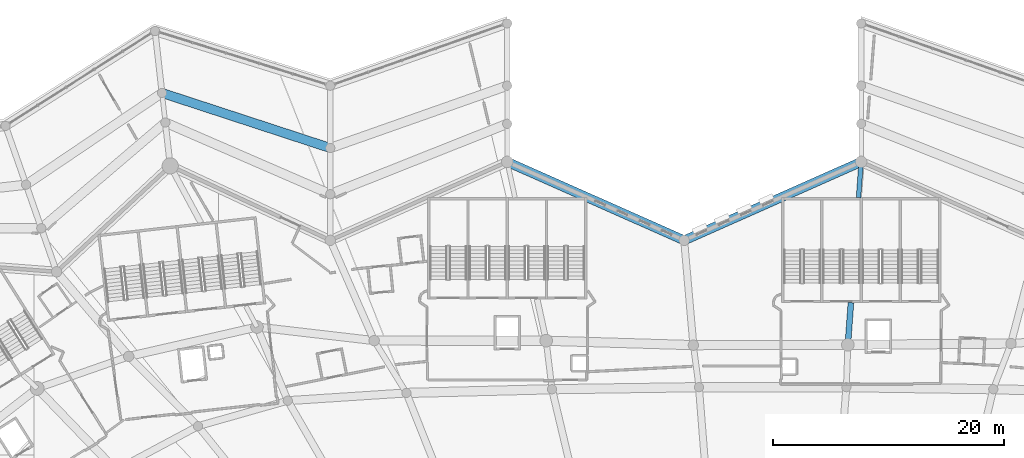
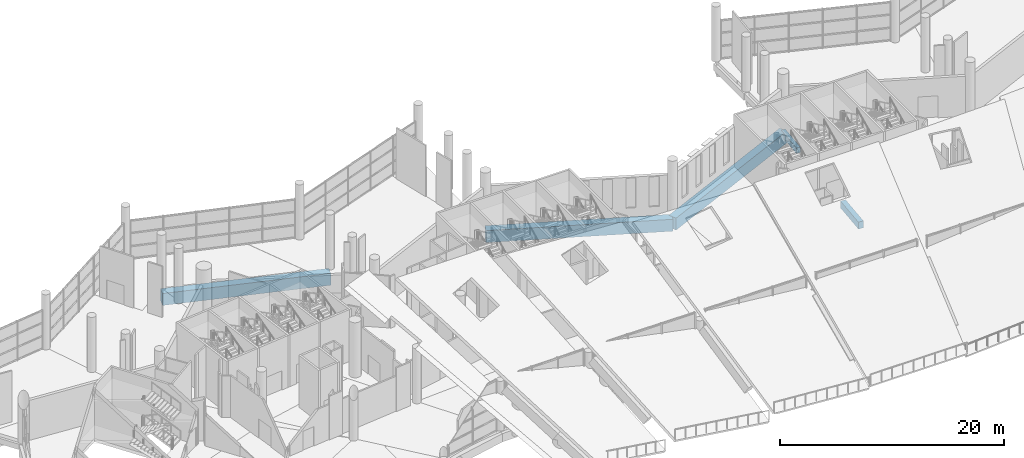
# One storey, part 72 of 249: 5 beams.
"""IFC4 building model written with IfcOpenShell, lengths in metres."""

from ifc_helpers import new_model, si_unit, direction, frame, origin, origin_2d, place, context, subcontext, project, spatial, rectangle, extrude, material, material_profile, profile_set, type_object, element, save


model = new_model("IFC4")

# Units and contexts
model_context = context("Model", 3, precision=1e-05, world=origin(), true_north=direction((0.0, 1.0)))
body_context = subcontext(model_context, "Body", "Model", "MODEL_VIEW")
ifc_project = project(units=[si_unit("LENGTHUNIT", "METRE"), si_unit("AREAUNIT", "SQUARE_METRE"), si_unit("VOLUMEUNIT", "CUBIC_METRE"), si_unit("PLANEANGLEUNIT", "RADIAN"), si_unit("MASSUNIT", "GRAM", prefix="KILO")], contexts=[model_context])

# Site, building, storey
site_placement = place(None, origin())
site = spatial("IfcSite", under=ifc_project, at=site_placement, CompositionType="ELEMENT")
building_placement = place(site_placement, origin())
building = spatial("IfcBuilding", under=site, at=building_placement, Name="Meseta Stadium", CompositionType="ELEMENT")
storey_placement = place(building_placement, frame((0.0, 0.0, 12.0)))
storey = spatial("IfcBuildingStorey", under=building, at=storey_placement, Name="L02", CompositionType="ELEMENT", Elevation=12.0)

# Beams
ifc_material_1 = material(Name="Concrete C40/50", Category="concrete")
ifc_material_profile_1 = material_profile(ifc_material_1, rectangle(XDim=0.39990234375, YDim=0.60009765625, at=origin_2d()), Name="RC 400x600")
ifc_profile_set_1 = profile_set([ifc_material_profile_1], Name="Concrete C40/50")
beam_type_1 = type_object("IfcBeamType", Name="RC beam 400x600", PredefinedType="BEAM", material=ifc_profile_set_1)
beam_1_placement = place(storey_placement, frame((7.44189453125, 102.300048828125, -0.64990234375), z_axis=(0.072346739974, 0.997379541205, 0.0), x_axis=(-0.997379541205, 0.072346739974, 0.0)))
element("IfcBeam", 1, at=beam_1_placement, inside=storey, type_object=beam_type_1, Name="L02 radial beam frame 18 line P to R", PredefinedType="BEAM", context=body_context, shape_type="SweptSolid", body=[
    extrude(rectangle(XDim=0.39990234375, YDim=0.60009765625, at=origin_2d()), origin(), (0.0, 0.0, 1.0), 3.10791015625),
])
ifc_material_2 = material(Name="Concrete C40/50", Category="concrete")
ifc_material_profile_2 = material_profile(ifc_material_2, rectangle(XDim=0.5, YDim=0.75, at=origin_2d()), Name="RC 500x750")
ifc_profile_set_2 = profile_set([ifc_material_profile_2], Name="Concrete C40/50")
beam_type_2 = type_object("IfcBeamType", Name="RC beam 500x750", PredefinedType="BEAM", material=ifc_profile_set_2)
beam_2_placement = place(storey_placement, frame((6.51708984375, 89.54638671875, -0.72509765625), z_axis=(0.072312695021, 0.997382010134, 0.0), x_axis=(-0.997382010134, 0.072312695021, 0.0)))
element("IfcBeam", 2, at=beam_2_placement, inside=storey, type_object=beam_type_2, Name="L02 radial beam frame 18 line P to R", PredefinedType="BEAM", context=body_context, shape_type="SweptSolid", body=[
    extrude(rectangle(XDim=0.5, YDim=0.75, at=origin_2d()), origin(), (0.0, 0.0, 1.0), 3.6630859375),
])
ifc_material_3 = material(Name="Concrete C40/50", Category="concrete")
ifc_material_profile_3 = material_profile(ifc_material_3, rectangle(XDim=0.800048828125, YDim=1.300048828125, at=origin_2d()), Name="RC 800x1300")
ifc_profile_set_3 = profile_set([ifc_material_profile_3], Name="Concrete C40/50")
beam_type_3 = type_object("IfcBeamType", Name="RC beam 800x1300", PredefinedType="BEAM", material=ifc_profile_set_3)
beam_3_placement = place(storey_placement, frame((7.666748046875, 105.39990234375, -1.0), z_axis=(-0.914144956099, -0.405387468033, 0.0), x_axis=(0.405387468033, -0.914144956099, 0.0)))
element("IfcBeam", 3, at=beam_3_placement, inside=storey, type_object=beam_type_3, Name="L02 ring beam frame 18 line R", PredefinedType="BEAM", context=body_context, shape_type="SweptSolid", body=[
    extrude(rectangle(XDim=0.800048828125, YDim=1.300048828125, at=origin_2d()), origin(), (0.0, 0.0, 1.0), 16.773681640625),
])
beam_4_placement = place(storey_placement, frame((-7.666748046875, 98.60009765625, -1.0), z_axis=(-0.914142564088, 0.405392861953, 0.0), x_axis=(-0.405392861953, -0.914142564088, 0.0)))
element("IfcBeam", 4, at=beam_4_placement, inside=storey, type_object=beam_type_3, Name="L02 ring beam frame 19 line R", PredefinedType="BEAM", context=body_context, shape_type="SweptSolid", body=[
    extrude(rectangle(XDim=0.800048828125, YDim=1.300048828125, at=origin_2d()), origin(), (0.0, 0.0, 1.0), 16.7734375),
])
beam_5_placement = place(storey_placement, frame((-38.333251953125, 106.60009765625, -1.0), z_axis=(-0.950397214569, 0.311038799089, 0.0), x_axis=(-0.311038799089, -0.950397214569, 0.0)))
element("IfcBeam", 5, at=beam_5_placement, inside=storey, type_object=beam_type_3, Name="L02 ring beam frame 21 line Q", PredefinedType="BEAM", context=body_context, shape_type="SweptSolid", body=[
    extrude(rectangle(XDim=0.800048828125, YDim=1.300048828125, at=origin_2d()), origin(), (0.0, 0.0, 1.0), 15.3427734375),
])

save(model, "model.ifc")
